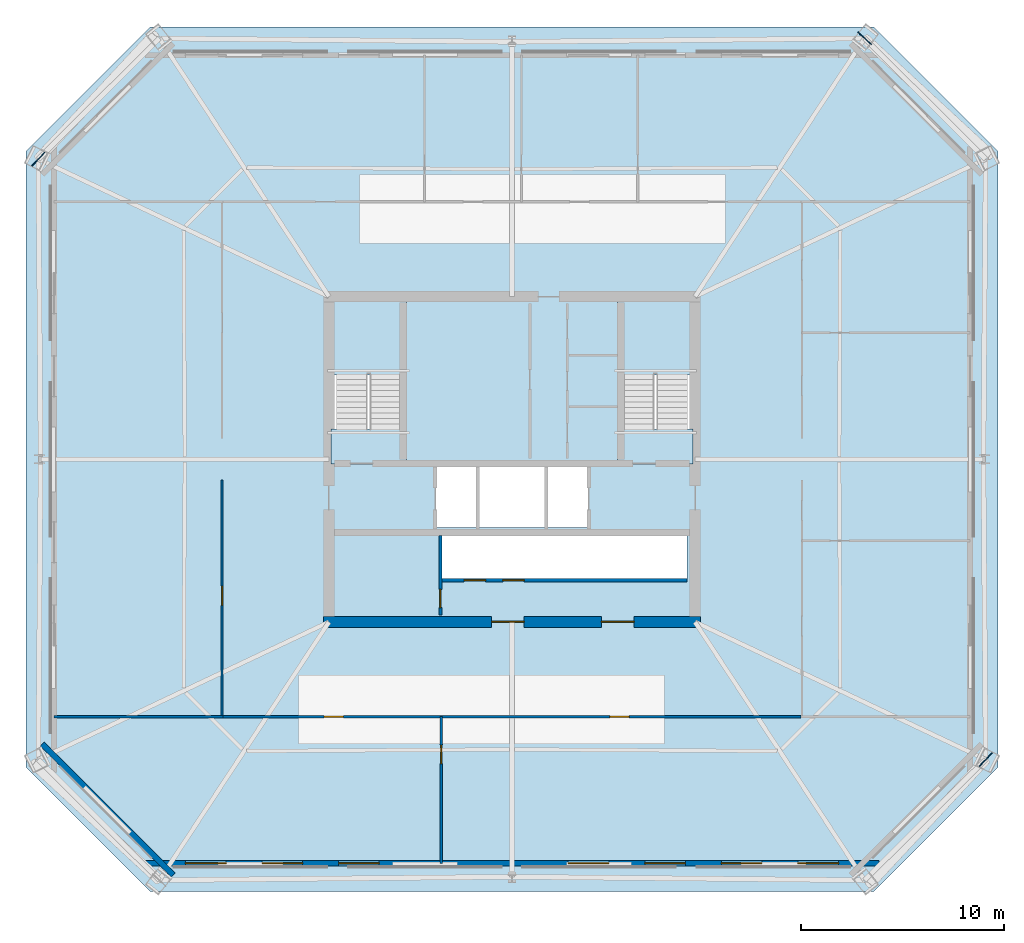
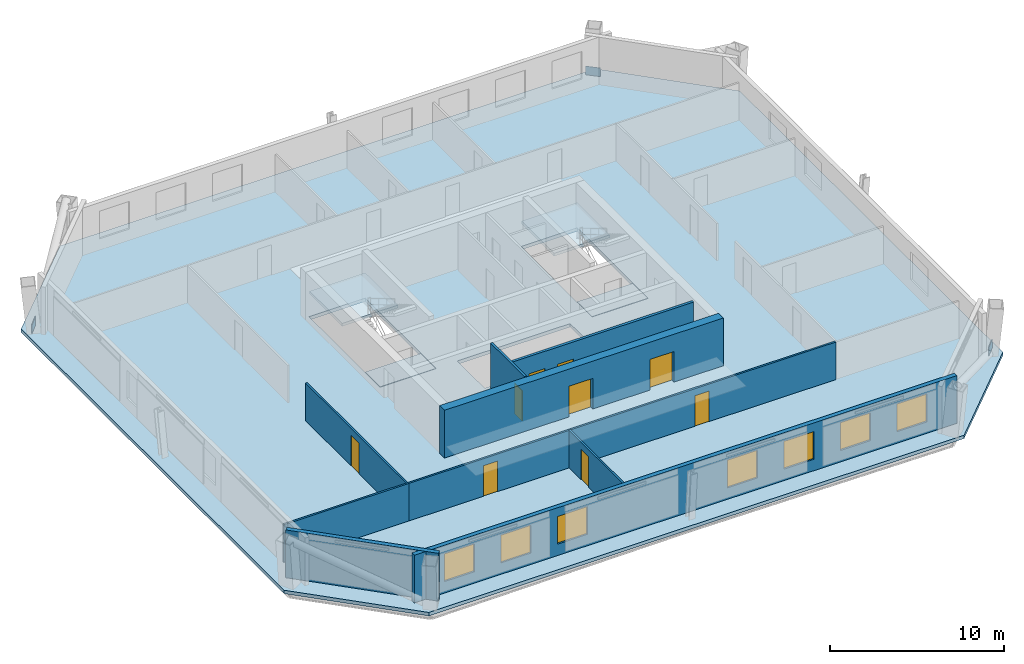
# One storey, part 2 of 7: 9 doors, 9 walls, 7 windows, 5 slabs, 3 plates, 16 openings, 2 elements without a shape of their own.
"""IFC4 building model written with IfcOpenShell, lengths in metres."""

from ifc_helpers import new_model, si_unit, direction, frame, frame_2d, origin, origin_2d, place, context, subcontext, project, spatial, polyline, rectangle, outline, extrude, material, layer, layer_set, type_object, element, fill, aggregate, save


model = new_model("IFC4")

# Units and contexts
model_context = context("Model", 3, precision=1e-05, world=origin(), true_north=direction((0.0, 1.0)))
body_context = subcontext(model_context, "Body", "Model", "MODEL_VIEW")
ifc_project = project(units=[si_unit("LENGTHUNIT", "METRE"), si_unit("AREAUNIT", "SQUARE_METRE"), si_unit("VOLUMEUNIT", "CUBIC_METRE"), si_unit("PLANEANGLEUNIT", "RADIAN"), si_unit("MASSUNIT", "GRAM", prefix="KILO")], contexts=[model_context])

# Site, building, storey
site_placement = place(None, origin())
site = spatial("IfcSite", under=ifc_project, at=site_placement, CompositionType="ELEMENT")
building_placement = place(site_placement, origin())
building = spatial("IfcBuilding", under=site, at=building_placement, Name="Caelvoria Tower", CompositionType="ELEMENT")
storey_placement = place(building_placement, frame((0.0, 0.0, 134.800048828125)))
storey = spatial("IfcBuildingStorey", under=building, at=storey_placement, Name="L35", CompositionType="ELEMENT", Elevation=134.800048828125)

# Plates
ifc_material_1 = material(Name="Structural Steel ASTM A572 Gr.50", Category="steel")
ifc_layer_1 = layer(ifc_material_1, 0.0400390625, Name="Structural Steel ASTM A572 Gr.50")
ifc_layer_set_1 = layer_set([ifc_layer_1], Name="Megaframe Node Gusset Plate 900x600x40 - Structural Steel ASTM A572 Gr.50")
plate_type = type_object("IfcPlateType", Name="Megaframe Node Gusset Plate 900x600x40", PredefinedType="USERDEFINED", material=ifc_layer_set_1)
for number, where, z_axis, x_axis, name in (
    (1, (69.2919921875, 17.235595703125, 0.02001953125), (0.0, 0.0, 1.0), (-0.681237225228, -0.732062731577, 0.0), "Chamfer Mega Brace Gusset L35 SE"),
    (2, (63.337646484375, 52.697998046875, 0.02001953125), (0.0, 0.0, 1.0), (0.734202840217, -0.678930180076, 0.0), "Chamfer Mega Brace Gusset L35 NE"),
    (3, (22.7080078125, 46.764404296875, 0.02001953125), (0.0, 0.0, 1.0), (0.681237225228, 0.732062731577, 0.0), "Chamfer Mega Brace Gusset L35 NW"),
):
    element("IfcPlate", number, at=place(storey_placement, frame(where, z_axis=z_axis, x_axis=x_axis)), inside=storey, type_object=plate_type, Name=name, ObjectType="GUSSET_PLATE", PredefinedType="USERDEFINED", context=body_context, shape_type="SweptSolid", body=[
        extrude(rectangle(XDim=0.89990234375, YDim=0.0400390625, at=origin_2d()), origin(), (0.0, 0.0, 1.0), 0.60009765625),
    ])

# Stair, slabs
ifc_material_2 = material(Name="Concrete C40/50", Category="concrete")
stair_type = type_object("IfcStairType", Name="Core Smokeproof Dogleg Stair Concrete C40/50", PredefinedType="HALF_TURN_STAIR", material=ifc_material_2)
stair_1_placement = place(storey_placement, origin())
stair_1 = element("IfcStair", 4, at=stair_1_placement, inside=storey, type_object=stair_type, Name="ST-01 Smokeproof Exit Stair L35", PredefinedType="HALF_TURN_STAIR")
ifc_layer_2 = layer(ifc_material_2, 0.199951171875, Name="Concrete C40/50")
ifc_layer_set_2 = layer_set([ifc_layer_2], Name="Stair Half and Floor Landing Slab 200 Concrete C40/50 - Concrete C40/50")
slab_type_1 = type_object("IfcSlabType", Name="Stair Half and Floor Landing Slab 200 Concrete C40/50", PredefinedType="LANDING", material=ifc_layer_set_2)
slab_1_placement = place(storey_placement, frame((0.0, 0.0, -0.199951171875)))
slab_1 = element("IfcSlab", 5, at=slab_1_placement, type_object=slab_type_1, Name="ST-01 landing 1", PredefinedType="LANDING", context=body_context, shape_type="SweptSolid", body=[
    extrude(outline(polyline([(37.10009765625, 31.77001953125), (40.800048828125, 31.77001953125), (40.800048828125, 33.5), (37.10009765625, 33.5), (37.10009765625, 31.77001953125)])), origin(), (0.0, 0.0, 1.0), 0.199951171875),
])
slab_2_placement = place(storey_placement, frame((0.0, 0.0, 1.599853515625)))
slab_2 = element("IfcSlab", 6, at=slab_2_placement, type_object=slab_type_1, Name="ST-01 landing 2", PredefinedType="LANDING", context=body_context, shape_type="SweptSolid", body=[
    extrude(outline(polyline([(37.10009765625, 36.14990234375), (40.800048828125, 36.14990234375), (40.800048828125, 39.89990234375), (37.10009765625, 39.89990234375), (37.10009765625, 36.14990234375)])), origin(), (0.0, 0.0, 1.0), 0.2001953125),
])
aggregate(stair_1, [slab_1, slab_2])

stair_2_placement = place(storey_placement, origin())
stair_2 = element("IfcStair", 7, at=stair_2_placement, inside=storey, type_object=stair_type, Name="ST-02 Smokeproof Exit Stair L35", PredefinedType="HALF_TURN_STAIR")
slab_3_placement = place(storey_placement, frame((0.0, 0.0, -0.199951171875)))
slab_3 = element("IfcSlab", 8, at=slab_3_placement, type_object=slab_type_1, Name="ST-02 landing 1", PredefinedType="LANDING", context=body_context, shape_type="SweptSolid", body=[
    extrude(outline(polyline([(51.199951171875, 31.77001953125), (54.89990234375, 31.77001953125), (54.89990234375, 33.5), (51.199951171875, 33.5), (51.199951171875, 31.77001953125)])), origin(), (0.0, 0.0, 1.0), 0.199951171875),
])
slab_4_placement = place(storey_placement, frame((0.0, 0.0, 1.599853515625)))
slab_4 = element("IfcSlab", 9, at=slab_4_placement, type_object=slab_type_1, Name="ST-02 landing 2", PredefinedType="LANDING", context=body_context, shape_type="SweptSolid", body=[
    extrude(outline(polyline([(51.199951171875, 36.14990234375), (54.89990234375, 36.14990234375), (54.89990234375, 39.89990234375), (51.199951171875, 39.89990234375), (51.199951171875, 36.14990234375)])), origin(), (0.0, 0.0, 1.0), 0.2001953125),
])
aggregate(stair_2, [slab_3, slab_4])

# Slab
ifc_layer_3 = layer(ifc_material_2, 0.239990234375, Name="Concrete C40/50")
ifc_layer_set_3 = layer_set([ifc_layer_3], Name="Tower Composite Office Slab 240 - Concrete C40/50")
slab_type_2 = type_object("IfcSlabType", Name="Tower Composite Office Slab 240", PredefinedType="FLOOR", material=ifc_layer_set_3)
slab_5_placement = place(storey_placement, frame((0.0, 0.0, -0.239990234375)))
element("IfcSlab", 10, at=slab_5_placement, inside=storey, type_object=slab_type_2, Name="Level L35 Structural Floor Slab", PredefinedType="FLOOR", context=body_context, shape_type="SweptSolid", body=[
    extrude(outline(polyline([(28.199951171875, 10.75), (63.800048828125, 10.75), (69.89990234375, 16.85009765625), (69.89990234375, 47.14990234375), (63.800048828125, 53.25), (28.199951171875, 53.25), (22.10009765625, 47.14990234375), (22.10009765625, 16.85009765625), (28.199951171875, 10.75)]), holes=[polyline([(37.080078125, 31.75), (40.820068359375, 31.75), (40.820068359375, 39.919921875), (37.080078125, 39.919921875), (37.080078125, 31.75)]), polyline([(51.179931640625, 31.75), (54.919921875, 31.75), (54.919921875, 39.919921875), (51.179931640625, 39.919921875), (51.179931640625, 31.75)]), polyline([(42.25, 28.64990234375), (49.75, 28.64990234375), (49.75, 31.800048828125), (42.25, 31.800048828125), (42.25, 28.64990234375)]), polyline([(42.550048828125, 26.14990234375), (54.60009765625, 26.14990234375), (54.60009765625, 28.25), (42.550048828125, 28.25), (42.550048828125, 26.14990234375)])]), origin(), (0.0, 0.0, 1.0), 0.239990234375),
])

# Wall, opening, door
ifc_material_3 = material(Name="Double Gypsum Board on Steel Stud", Category="steel")
ifc_layer_4 = layer(ifc_material_3, 0.14990234375, Name="Double Gypsum Board on Steel Stud")
ifc_layer_set_4 = layer_set([ifc_layer_4], Name="Core Service Acoustic Partition Wall 150 - Double Gypsum Board on Steel Stud")
wall_type_1 = type_object("IfcWallType", Name="Core Service Acoustic Partition Wall 150", PredefinedType="PARTITIONING", material=ifc_layer_set_4)
wall_1_placement = place(storey_placement, frame((42.47998046875, 24.35009765625, 0.0), z_axis=(0.0, 0.0, 1.0), x_axis=(0.0, 1.0, 0.0)))
wall_1 = element("IfcWall", 11, at=wall_1_placement, inside=storey, type_object=wall_type_1, Name="Interior Partition IW-L35-RECL1E", PredefinedType="PARTITIONING", context=body_context, shape_type="SweptSolid", body=[
    extrude(rectangle(XDim=3.89990234375, YDim=0.14990234375, at=frame_2d((1.949951171875, 0.0))), origin(), (0.0, 0.0, 1.0), 3.35986328125),
])
opening_1_placement = place(wall_1_placement, frame((0.35009765625, 0.0, 0.0)))
opening_1 = element("IfcOpeningElement", 12, at=opening_1_placement, cuts=wall_1, Name="Opening ID-04", PredefinedType="OPENING", context=body_context, shape_type="SweptSolid", body=[
    extrude(rectangle(XDim=0.89990234375, YDim=2.14990234375, at=frame_2d((0.449951171875, 1.074951171875))), frame((0.0, 0.0849609375, 0.0), z_axis=(0.0, -1.0, 0.0), x_axis=(1.0, 0.0, 0.0)), (0.0, 0.0, 1.0), 0.169921875),
])
ifc_material_4 = material(Name="Acoustic Timber Fire Door", Category="wood")
door_type_1 = type_object("IfcDoorType", Name="Fire Door FD30S 900x2150", OperationType="NOTDEFINED", PredefinedType="DOOR", material=ifc_material_4)
door_1_placement = place(opening_1_placement, origin())
door_1 = element("IfcDoor", 13, at=door_1_placement, inside=storey, type_object=door_type_1, Name="Interior Door DR-L35-RECL1", OperationType="SINGLE_SWING_LEFT", OverallHeight=2.14990234375, OverallWidth=0.89990234375, PredefinedType="DOOR", context=body_context, shape_type="SweptSolid", body=[
    extrude(rectangle(XDim=0.89990234375, YDim=2.14990234375, at=frame_2d((0.449951171875, 1.074951171875))), frame((0.0, 0.02490234375, 0.0), z_axis=(0.0, -1.0, 0.0), x_axis=(1.0, 0.0, 0.0)), (0.0, 0.0, 1.0), 0.050048828125),
])
fill(opening_1, door_1)

# Wall, openings, windows
ifc_material_5 = material(Name="Precast Concrete C40/50 with Bronze Cladding", Category="concrete")
ifc_layer_5 = layer(ifc_material_5, 0.280029296875, Name="Precast Concrete C40/50 with Bronze Cladding")
ifc_layer_set_5 = layer_set([ifc_layer_5], Name="Exterior Precast Concrete C40/50 Bronze-Clad Facade Wall 280 - Precast Concrete C40/50 with Bronze Cladding")
wall_type_2 = type_object("IfcWallType", Name="Exterior Precast Concrete C40/50 Bronze-Clad Facade Wall 280", PredefinedType="STANDARD", material=ifc_layer_set_5)
wall_2_placement = place(storey_placement, frame((27.9599609375, 12.1298828125, 0.0), z_axis=(0.0, 0.0, 1.0), x_axis=(1.0, 0.0, 0.0)))
wall_2 = element("IfcWall", 14, at=wall_2_placement, inside=storey, type_object=wall_type_2, Name="Exterior Facade Wall L35-E0", PredefinedType="STANDARD", context=body_context, shape_type="SweptSolid", body=[
    extrude(rectangle(XDim=36.080078125, YDim=0.280029296875, at=frame_2d((18.0400390625, 0.0))), origin(), (0.0, 0.0, 1.0), 3.35986328125),
])
opening_2_placement = place(wall_2_placement, frame((1.982177734375, 0.0, 0.800048828125)))
opening_2 = element("IfcOpeningElement", 15, at=opening_2_placement, cuts=wall_2, Name="Opening WN-01", PredefinedType="OPENING", context=body_context, shape_type="SweptSolid", body=[
    extrude(rectangle(XDim=2.0, YDim=1.949951171875, at=frame_2d((1.0, 0.97509765625))), frame((0.0, 0.14990234375, 0.0), z_axis=(0.0, -1.0, 0.0), x_axis=(1.0, 0.0, 0.0)), (0.0, 0.0, 1.0), 0.300048828125),
])
opening_3_placement = place(wall_2_placement, frame((5.74658203125, 0.0, 0.800048828125)))
opening_3 = element("IfcOpeningElement", 16, at=opening_3_placement, cuts=wall_2, Name="Opening WN-01", PredefinedType="OPENING", context=body_context, shape_type="SweptSolid", body=[
    extrude(rectangle(XDim=2.0, YDim=1.949951171875, at=frame_2d((1.0, 0.97509765625))), frame((0.0, 0.14990234375, 0.0), z_axis=(0.0, -1.0, 0.0), x_axis=(1.0, 0.0, 0.0)), (0.0, 0.0, 1.0), 0.300048828125),
])
opening_4_placement = place(wall_2_placement, frame((9.510986328125, 0.0, 0.800048828125)))
opening_4 = element("IfcOpeningElement", 17, at=opening_4_placement, cuts=wall_2, Name="Opening WN-01", PredefinedType="OPENING", context=body_context, shape_type="SweptSolid", body=[
    extrude(rectangle(XDim=2.0, YDim=1.949951171875, at=frame_2d((1.0, 0.97509765625))), frame((0.0, 0.14990234375, 0.0), z_axis=(0.0, -1.0, 0.0), x_axis=(1.0, 0.0, 0.0)), (0.0, 0.0, 1.0), 0.300048828125),
])
opening_5_placement = place(wall_2_placement, frame((20.804443359375, 0.0, 0.800048828125)))
opening_5 = element("IfcOpeningElement", 18, at=opening_5_placement, cuts=wall_2, Name="Opening WN-01", PredefinedType="OPENING", context=body_context, shape_type="SweptSolid", body=[
    extrude(rectangle(XDim=2.0, YDim=1.949951171875, at=frame_2d((1.0, 0.97509765625))), frame((0.0, 0.14990234375, 0.0), z_axis=(0.0, -1.0, 0.0), x_axis=(1.0, 0.0, 0.0)), (0.0, 0.0, 1.0), 0.300048828125),
])
opening_6_placement = place(wall_2_placement, frame((24.56884765625, 0.0, 0.800048828125)))
opening_6 = element("IfcOpeningElement", 19, at=opening_6_placement, cuts=wall_2, Name="Opening WN-01", PredefinedType="OPENING", context=body_context, shape_type="SweptSolid", body=[
    extrude(rectangle(XDim=2.0, YDim=1.949951171875, at=frame_2d((1.0, 0.97509765625))), frame((0.0, 0.14990234375, 0.0), z_axis=(0.0, -1.0, 0.0), x_axis=(1.0, 0.0, 0.0)), (0.0, 0.0, 1.0), 0.300048828125),
])
opening_7_placement = place(wall_2_placement, frame((28.333251953125, 0.0, 0.800048828125)))
opening_7 = element("IfcOpeningElement", 20, at=opening_7_placement, cuts=wall_2, Name="Opening WN-01", PredefinedType="OPENING", context=body_context, shape_type="SweptSolid", body=[
    extrude(rectangle(XDim=2.0, YDim=1.949951171875, at=frame_2d((1.0, 0.97509765625))), frame((0.0, 0.14990234375, 0.0), z_axis=(0.0, -1.0, 0.0), x_axis=(1.0, 0.0, 0.0)), (0.0, 0.0, 1.0), 0.300048828125),
])
opening_8_placement = place(wall_2_placement, frame((32.097900390625, 0.0, 0.800048828125)))
opening_8 = element("IfcOpeningElement", 21, at=opening_8_placement, cuts=wall_2, Name="Opening WN-01", PredefinedType="OPENING", context=body_context, shape_type="SweptSolid", body=[
    extrude(rectangle(XDim=2.0, YDim=1.949951171875, at=frame_2d((1.0, 0.97509765625))), frame((0.0, 0.14990234375, 0.0), z_axis=(0.0, -1.0, 0.0), x_axis=(1.0, 0.0, 0.0)), (0.0, 0.0, 1.0), 0.300048828125),
])
ifc_material_6 = material(Name="Low-E Tinted Glass in Bronze Aluminium Frame", Category="aluminium")
window_type = type_object("IfcWindowType", Name="Tower Office Vision Window 2000x1950", PartitioningType="SINGLE_PANEL", PredefinedType="WINDOW", material=ifc_material_6)
window_1_placement = place(opening_2_placement, origin())
window_1 = element("IfcWindow", 22, at=window_1_placement, inside=storey, type_object=window_type, Name="Facade Window L35-E0-00", OverallHeight=1.949951171875, OverallWidth=2.0, PartitioningType="SINGLE_PANEL", PredefinedType="WINDOW", context=body_context, shape_type="SweptSolid", body=[
    extrude(rectangle(XDim=2.0, YDim=1.949951171875, at=frame_2d((1.0, 0.97509765625))), frame((0.0, 0.030029296875, 0.0), z_axis=(0.0, -1.0, 0.0), x_axis=(1.0, 0.0, 0.0)), (0.0, 0.0, 1.0), 0.06005859375),
])
fill(opening_2, window_1)
window_2_placement = place(opening_3_placement, origin())
window_2 = element("IfcWindow", 23, at=window_2_placement, inside=storey, type_object=window_type, Name="Facade Window L35-E0-01", OverallHeight=1.949951171875, OverallWidth=2.0, PartitioningType="SINGLE_PANEL", PredefinedType="WINDOW", context=body_context, shape_type="SweptSolid", body=[
    extrude(rectangle(XDim=2.0, YDim=1.949951171875, at=frame_2d((1.0, 0.97509765625))), frame((0.0, 0.030029296875, 0.0), z_axis=(0.0, -1.0, 0.0), x_axis=(1.0, 0.0, 0.0)), (0.0, 0.0, 1.0), 0.06005859375),
])
fill(opening_3, window_2)
window_3_placement = place(opening_4_placement, origin())
window_3 = element("IfcWindow", 24, at=window_3_placement, inside=storey, type_object=window_type, Name="Facade Window L35-E0-02", OverallHeight=1.949951171875, OverallWidth=2.0, PartitioningType="SINGLE_PANEL", PredefinedType="WINDOW", context=body_context, shape_type="SweptSolid", body=[
    extrude(rectangle(XDim=2.0, YDim=1.949951171875, at=frame_2d((1.0, 0.97509765625))), frame((0.0, 0.030029296875, 0.0), z_axis=(0.0, -1.0, 0.0), x_axis=(1.0, 0.0, 0.0)), (0.0, 0.0, 1.0), 0.06005859375),
])
fill(opening_4, window_3)
window_4_placement = place(opening_5_placement, origin())
window_4 = element("IfcWindow", 25, at=window_4_placement, inside=storey, type_object=window_type, Name="Facade Window L35-E0-05", OverallHeight=1.949951171875, OverallWidth=2.0, PartitioningType="SINGLE_PANEL", PredefinedType="WINDOW", context=body_context, shape_type="SweptSolid", body=[
    extrude(rectangle(XDim=2.0, YDim=1.949951171875, at=frame_2d((1.0, 0.97509765625))), frame((0.0, 0.030029296875, 0.0), z_axis=(0.0, -1.0, 0.0), x_axis=(1.0, 0.0, 0.0)), (0.0, 0.0, 1.0), 0.06005859375),
])
fill(opening_5, window_4)
window_5_placement = place(opening_6_placement, origin())
window_5 = element("IfcWindow", 26, at=window_5_placement, inside=storey, type_object=window_type, Name="Facade Window L35-E0-06", OverallHeight=1.949951171875, OverallWidth=2.0, PartitioningType="SINGLE_PANEL", PredefinedType="WINDOW", context=body_context, shape_type="SweptSolid", body=[
    extrude(rectangle(XDim=2.0, YDim=1.949951171875, at=frame_2d((1.0, 0.97509765625))), frame((0.0, 0.030029296875, 0.0), z_axis=(0.0, -1.0, 0.0), x_axis=(1.0, 0.0, 0.0)), (0.0, 0.0, 1.0), 0.06005859375),
])
fill(opening_6, window_5)
window_6_placement = place(opening_7_placement, origin())
window_6 = element("IfcWindow", 27, at=window_6_placement, inside=storey, type_object=window_type, Name="Facade Window L35-E0-07", OverallHeight=1.949951171875, OverallWidth=2.0, PartitioningType="SINGLE_PANEL", PredefinedType="WINDOW", context=body_context, shape_type="SweptSolid", body=[
    extrude(rectangle(XDim=2.0, YDim=1.949951171875, at=frame_2d((1.0, 0.97509765625))), frame((0.0, 0.030029296875, 0.0), z_axis=(0.0, -1.0, 0.0), x_axis=(1.0, 0.0, 0.0)), (0.0, 0.0, 1.0), 0.06005859375),
])
fill(opening_7, window_6)
window_7_placement = place(opening_8_placement, origin())
window_7 = element("IfcWindow", 28, at=window_7_placement, inside=storey, type_object=window_type, Name="Facade Window L35-E0-08", OverallHeight=1.949951171875, OverallWidth=2.0, PartitioningType="SINGLE_PANEL", PredefinedType="WINDOW", context=body_context, shape_type="SweptSolid", body=[
    extrude(rectangle(XDim=2.0, YDim=1.949951171875, at=frame_2d((1.0, 0.97509765625))), frame((0.0, 0.030029296875, 0.0), z_axis=(0.0, -1.0, 0.0), x_axis=(1.0, 0.0, 0.0)), (0.0, 0.0, 1.0), 0.06005859375),
])
fill(opening_8, window_7)

# Wall
wall_3_placement = place(storey_placement, frame((22.906005859375, 17.99560546875, 0.0), z_axis=(0.0, 0.0, 1.0), x_axis=(0.707106781187, -0.707106781187, 0.0)))
element("IfcWall", 29, at=wall_3_placement, inside=storey, type_object=wall_type_2, Name="Exterior Facade Wall L35-E7", PredefinedType="STANDARD", context=body_context, shape_type="SweptSolid", body=[
    extrude(rectangle(XDim=9.106689453125, YDim=0.280029296875, at=frame_2d((4.55322265625, 0.0))), origin(), (0.0, 0.0, 1.0), 3.35986328125),
])

# Wall, openings, doors
ifc_material_7 = material(Name="Concrete Block and Fireboard Assembly", Category="concrete")
ifc_layer_6 = layer(ifc_material_7, 0.179931640625, Name="Concrete Block and Fireboard Assembly")
ifc_layer_set_6 = layer_set([ifc_layer_6], Name="Fire-Rated Hoistway Partition Wall 180 - Concrete Block and Fireboard Assembly")
wall_type_3 = type_object("IfcWallType", Name="Fire-Rated Hoistway Partition Wall 180", PredefinedType="PARTITIONING", material=ifc_layer_set_6)
wall_4_placement = place(storey_placement, frame((42.550048828125, 26.050048828125, 0.0), z_axis=(0.0, 0.0, 1.0), x_axis=(1.0, 0.0, 0.0)))
wall_4 = element("IfcWall", 30, at=wall_4_placement, inside=storey, type_object=wall_type_3, Name="Interior Partition IW-L35-LFRONT", PredefinedType="PARTITIONING", context=body_context, shape_type="SweptSolid", body=[
    extrude(rectangle(XDim=12.050048828125, YDim=0.179931640625, at=frame_2d((6.02490234375, 0.0))), origin(), (0.0, 0.0, 1.0), 3.35986328125),
])
opening_9_placement = place(wall_4_placement, frame((1.10009765625, 0.0, 0.0)))
opening_9 = element("IfcOpeningElement", 31, at=opening_9_placement, cuts=wall_4, Name="Opening LD-01", PredefinedType="OPENING", context=body_context, shape_type="SweptSolid", body=[
    extrude(rectangle(XDim=1.050048828125, YDim=2.14990234375, at=frame_2d((0.52490234375, 1.074951171875))), frame((0.0, 0.099853515625, 0.0), z_axis=(0.0, -1.0, 0.0), x_axis=(1.0, 0.0, 0.0)), (0.0, 0.0, 1.0), 0.199951171875),
])
opening_10_placement = place(wall_4_placement, frame((3.0, 0.0, 0.0)))
opening_10 = element("IfcOpeningElement", 32, at=opening_10_placement, cuts=wall_4, Name="Opening LD-01", PredefinedType="OPENING", context=body_context, shape_type="SweptSolid", body=[
    extrude(rectangle(XDim=1.050048828125, YDim=2.14990234375, at=frame_2d((0.52490234375, 1.074951171875))), frame((0.0, 0.099853515625, 0.0), z_axis=(0.0, -1.0, 0.0), x_axis=(1.0, 0.0, 0.0)), (0.0, 0.0, 1.0), 0.199951171875),
])
ifc_material_8 = material(Name="Brushed Bronze Stainless Sliding Landing Door", Category="aluminium")
door_type_2 = type_object("IfcDoorType", Name="Lift Landing Sliding Door 1100x2150", OperationType="NOTDEFINED", PredefinedType="DOOR", material=ifc_material_8)
door_2_placement = place(opening_9_placement, origin())
door_2 = element("IfcDoor", 33, at=door_2_placement, inside=storey, type_object=door_type_2, Name="Interior Door LD-L35-PM1", OperationType="SLIDING_TO_LEFT", OverallHeight=2.14990234375, OverallWidth=1.050048828125, PredefinedType="DOOR", context=body_context, shape_type="SweptSolid", body=[
    extrude(rectangle(XDim=1.050048828125, YDim=2.14990234375, at=frame_2d((0.52490234375, 1.074951171875))), frame((0.0, 0.02490234375, 0.0), z_axis=(0.0, -1.0, 0.0), x_axis=(1.0, 0.0, 0.0)), (0.0, 0.0, 1.0), 0.050048828125),
])
fill(opening_9, door_2)
door_3_placement = place(opening_10_placement, origin())
door_3 = element("IfcDoor", 34, at=door_3_placement, inside=storey, type_object=door_type_2, Name="Interior Door LD-L35-PM2", OperationType="SLIDING_TO_RIGHT", OverallHeight=2.14990234375, OverallWidth=1.050048828125, PredefinedType="DOOR", context=body_context, shape_type="SweptSolid", body=[
    extrude(rectangle(XDim=1.050048828125, YDim=2.14990234375, at=frame_2d((0.52490234375, 1.074951171875))), frame((0.0, 0.02490234375, 0.0), z_axis=(0.0, -1.0, 0.0), x_axis=(1.0, 0.0, 0.0)), (0.0, 0.0, 1.0), 0.050048828125),
])
fill(opening_10, door_3)

ifc_material_9 = material(Name="Concrete C55/67", Category="concrete")
ifc_layer_7 = layer(ifc_material_9, 0.550048828125, Name="Concrete C55/67")
ifc_layer_set_7 = layer_set([ifc_layer_7], Name="Mid Core Shear Wall 550 - Concrete C55/67")
wall_type_4 = type_object("IfcWallType", Name="Mid Core Shear Wall 550", PredefinedType="SHEAR", material=ifc_layer_set_7)
wall_5_placement = place(storey_placement, frame((36.72509765625, 24.0, 0.0), z_axis=(0.0, 0.0, 1.0), x_axis=(1.0, 0.0, 0.0)))
wall_5 = element("IfcWall", 35, at=wall_5_placement, inside=storey, type_object=wall_type_4, Name="Core Shear Wall L35 S", PredefinedType="SHEAR", context=body_context, shape_type="SweptSolid", body=[
    extrude(rectangle(XDim=18.5498046875, YDim=0.550048828125, at=frame_2d((9.27490234375, 0.0))), origin(), (0.0, 0.0, 1.0), 3.35986328125),
])
opening_11_placement = place(wall_5_placement, frame((8.27490234375, 0.0, 0.0)))
opening_11 = element("IfcOpeningElement", 36, at=opening_11_placement, cuts=wall_5, Name="Opening ID-08", PredefinedType="OPENING", context=body_context, shape_type="SweptSolid", body=[
    extrude(rectangle(XDim=1.60009765625, YDim=2.14990234375, at=frame_2d((0.800048828125, 1.074951171875))), frame((0.0, 0.284912109375, 0.0), z_axis=(0.0, -1.0, 0.0), x_axis=(1.0, 0.0, 0.0)), (0.0, 0.0, 1.0), 0.570068359375),
])
opening_12_placement = place(wall_5_placement, frame((13.675048828125, 0.0, 0.0)))
opening_12 = element("IfcOpeningElement", 37, at=opening_12_placement, cuts=wall_5, Name="Opening ID-08", PredefinedType="OPENING", context=body_context, shape_type="SweptSolid", body=[
    extrude(rectangle(XDim=1.60009765625, YDim=2.14990234375, at=frame_2d((0.800048828125, 1.074951171875))), frame((0.0, 0.284912109375, 0.0), z_axis=(0.0, -1.0, 0.0), x_axis=(1.0, 0.0, 0.0)), (0.0, 0.0, 1.0), 0.570068359375),
])
ifc_material_10 = material(Name="Bronze-Framed Fire-Rated Glazed Double Door", Category="aluminium")
door_type_3 = type_object("IfcDoorType", Name="Double Lobby Glazed Door 1600x2200", OperationType="NOTDEFINED", PredefinedType="DOOR", material=ifc_material_10)
door_4_placement = place(opening_11_placement, origin())
door_4 = element("IfcDoor", 38, at=door_4_placement, inside=storey, type_object=door_type_3, Name="Core Door DR-L35-LLOB-S1", OperationType="DOUBLE_DOOR_SINGLE_SWING", OverallHeight=2.14990234375, OverallWidth=1.60009765625, PredefinedType="DOOR", context=body_context, shape_type="SweptSolid", body=[
    extrude(rectangle(XDim=1.60009765625, YDim=2.14990234375, at=frame_2d((0.800048828125, 1.074951171875))), frame((0.0, 0.02490234375, 0.0), z_axis=(0.0, -1.0, 0.0), x_axis=(1.0, 0.0, 0.0)), (0.0, 0.0, 1.0), 0.050048828125),
])
fill(opening_11, door_4)
door_5_placement = place(opening_12_placement, origin())
door_5 = element("IfcDoor", 39, at=door_5_placement, inside=storey, type_object=door_type_3, Name="Core Door DR-L35-LLOB-S2", OperationType="DOUBLE_DOOR_SINGLE_SWING", OverallHeight=2.14990234375, OverallWidth=1.60009765625, PredefinedType="DOOR", context=body_context, shape_type="SweptSolid", body=[
    extrude(rectangle(XDim=1.60009765625, YDim=2.14990234375, at=frame_2d((0.800048828125, 1.074951171875))), frame((0.0, 0.02490234375, 0.0), z_axis=(0.0, -1.0, 0.0), x_axis=(1.0, 0.0, 0.0)), (0.0, 0.0, 1.0), 0.050048828125),
])
fill(opening_12, door_5)

# Wall, opening, door
ifc_material_11 = material(Name="Acoustic Gypsum Board on Light-Gauge Stud", Category="gypsum")
ifc_layer_8 = layer(ifc_material_11, 0.1201171875, Name="Acoustic Gypsum Board on Light-Gauge Stud")
ifc_layer_set_8 = layer_set([ifc_layer_8], Name="Tenant Suite Acoustic Partition Wall 120 - Acoustic Gypsum Board on Light-Gauge Stud")
wall_type_5 = type_object("IfcWallType", Name="Tenant Suite Acoustic Partition Wall 120", PredefinedType="PARTITIONING", material=ifc_layer_set_8)
wall_6_placement = place(storey_placement, frame((42.52001953125, 19.340087890625, 0.0), z_axis=(0.0, 0.0, 1.0), x_axis=(0.0, -1.0, 0.0)))
wall_6 = element("IfcWall", 40, at=wall_6_placement, inside=storey, type_object=wall_type_5, Name="Interior Partition IW-L35-SD-00-0", PredefinedType="PARTITIONING", context=body_context, shape_type="SweptSolid", body=[
    extrude(rectangle(XDim=7.210205078125, YDim=0.1201171875, at=frame_2d((3.60498046875, 0.0))), origin(), (0.0, 0.0, 1.0), 2.639892578125),
])
opening_13_placement = place(wall_6_placement, frame((1.39990234375, 0.0, 0.0)))
opening_13 = element("IfcOpeningElement", 41, at=opening_13_placement, cuts=wall_6, Name="Opening ID-06", PredefinedType="OPENING", context=body_context, shape_type="SweptSolid", body=[
    extrude(rectangle(XDim=0.89990234375, YDim=2.14990234375, at=frame_2d((0.449951171875, 1.074951171875))), frame((0.0, 0.070068359375, 0.0), z_axis=(0.0, -1.0, 0.0), x_axis=(1.0, 0.0, 0.0)), (0.0, 0.0, 1.0), 0.14013671875),
])
ifc_material_12 = material(Name="Engineered Andean Oak Veneer Door", Category="wood")
door_type_4 = type_object("IfcDoorType", Name="Interior Timber Door 900x2150", OperationType="NOTDEFINED", PredefinedType="DOOR", material=ifc_material_12)
door_6_placement = place(opening_13_placement, origin())
door_6 = element("IfcDoor", 42, at=door_6_placement, inside=storey, type_object=door_type_4, Name="Interior Door DR-L35-SM-00-0", OperationType="SINGLE_SWING_RIGHT", OverallHeight=2.14990234375, OverallWidth=0.89990234375, PredefinedType="DOOR", context=body_context, shape_type="SweptSolid", body=[
    extrude(rectangle(XDim=0.89990234375, YDim=2.14990234375, at=frame_2d((0.449951171875, 1.074951171875))), frame((0.0, 0.02490234375, 0.0), z_axis=(0.0, -1.0, 0.0), x_axis=(1.0, 0.0, 0.0)), (0.0, 0.0, 1.0), 0.050048828125),
])
fill(opening_13, door_6)

# Wall, openings, doors
wall_7_placement = place(storey_placement, frame((31.800048828125, 19.340087890625, 0.0), z_axis=(0.0, 0.0, 1.0), x_axis=(1.0, 0.0, 0.0)))
wall_7 = element("IfcWall", 43, at=wall_7_placement, inside=storey, type_object=wall_type_5, Name="Interior Partition IW-L35-SCW-0", PredefinedType="PARTITIONING", context=body_context, shape_type="SweptSolid", body=[
    extrude(rectangle(XDim=28.39990234375, YDim=0.1201171875, at=frame_2d((14.199951171875, 0.0))), origin(), (0.0, 0.0, 1.0), 2.639892578125),
])
opening_14_placement = place(wall_7_placement, frame((4.955078125, 0.0, 0.0)))
opening_14 = element("IfcOpeningElement", 44, at=opening_14_placement, cuts=wall_7, Name="Opening ID-05", PredefinedType="OPENING", context=body_context, shape_type="SweptSolid", body=[
    extrude(rectangle(XDim=0.949951171875, YDim=2.14990234375, at=frame_2d((0.47509765625, 1.074951171875))), frame((0.0, 0.070068359375, 0.0), z_axis=(0.0, -1.0, 0.0), x_axis=(1.0, 0.0, 0.0)), (0.0, 0.0, 1.0), 0.14013671875),
])
opening_15_placement = place(wall_7_placement, frame((19.014892578125, 0.0, 0.0)))
opening_15 = element("IfcOpeningElement", 45, at=opening_15_placement, cuts=wall_7, Name="Opening ID-05", PredefinedType="OPENING", context=body_context, shape_type="SweptSolid", body=[
    extrude(rectangle(XDim=0.949951171875, YDim=2.14990234375, at=frame_2d((0.47509765625, 1.074951171875))), frame((0.0, 0.070068359375, 0.0), z_axis=(0.0, -1.0, 0.0), x_axis=(1.0, 0.0, 0.0)), (0.0, 0.0, 1.0), 0.14013671875),
])
door_type_5 = type_object("IfcDoorType", Name="Interior Timber Door 950x2150", OperationType="NOTDEFINED", PredefinedType="DOOR", material=ifc_material_12)
door_7_placement = place(opening_14_placement, origin())
door_7 = element("IfcDoor", 46, at=door_7_placement, inside=storey, type_object=door_type_5, Name="Interior Door DR-L35-SC-00-0", OperationType="SINGLE_SWING_RIGHT", OverallHeight=2.14990234375, OverallWidth=0.949951171875, PredefinedType="DOOR", context=body_context, shape_type="SweptSolid", body=[
    extrude(rectangle(XDim=0.949951171875, YDim=2.14990234375, at=frame_2d((0.47509765625, 1.074951171875))), frame((0.0, 0.02490234375, 0.0), z_axis=(0.0, -1.0, 0.0), x_axis=(1.0, 0.0, 0.0)), (0.0, 0.0, 1.0), 0.050048828125),
])
fill(opening_14, door_7)
door_8_placement = place(opening_15_placement, origin())
door_8 = element("IfcDoor", 47, at=door_8_placement, inside=storey, type_object=door_type_5, Name="Interior Door DR-L35-SC-01-0", OperationType="SINGLE_SWING_LEFT", OverallHeight=2.14990234375, OverallWidth=0.949951171875, PredefinedType="DOOR", context=body_context, shape_type="SweptSolid", body=[
    extrude(rectangle(XDim=0.949951171875, YDim=2.14990234375, at=frame_2d((0.47509765625, 1.074951171875))), frame((0.0, 0.02490234375, 0.0), z_axis=(0.0, -1.0, 0.0), x_axis=(1.0, 0.0, 0.0)), (0.0, 0.0, 1.0), 0.050048828125),
])
fill(opening_15, door_8)

# Wall, opening, door
wall_8_placement = place(storey_placement, frame((31.739990234375, 19.39990234375, 0.0), z_axis=(0.0, 0.0, 1.0), x_axis=(0.0, 1.0, 0.0)))
wall_8 = element("IfcWall", 48, at=wall_8_placement, inside=storey, type_object=wall_type_5, Name="Interior Partition IW-L35-WCW-0", PredefinedType="PARTITIONING", context=body_context, shape_type="SweptSolid", body=[
    extrude(rectangle(XDim=11.580078125, YDim=0.1201171875, at=frame_2d((5.7900390625, 0.0))), origin(), (0.0, 0.0, 1.0), 2.639892578125),
])
opening_16_placement = place(wall_8_placement, frame((5.4150390625, 0.0, 0.0)))
opening_16 = element("IfcOpeningElement", 49, at=opening_16_placement, cuts=wall_8, Name="Opening ID-05", PredefinedType="OPENING", context=body_context, shape_type="SweptSolid", body=[
    extrude(rectangle(XDim=0.949951171875, YDim=2.14990234375, at=frame_2d((0.47509765625, 1.074951171875))), frame((0.0, 0.070068359375, 0.0), z_axis=(0.0, -1.0, 0.0), x_axis=(1.0, 0.0, 0.0)), (0.0, 0.0, 1.0), 0.14013671875),
])
door_9_placement = place(opening_16_placement, origin())
door_9 = element("IfcDoor", 50, at=door_9_placement, inside=storey, type_object=door_type_5, Name="Interior Door DR-L35-WC-00-1", OperationType="SINGLE_SWING_LEFT", OverallHeight=2.14990234375, OverallWidth=0.949951171875, PredefinedType="DOOR", context=body_context, shape_type="SweptSolid", body=[
    extrude(rectangle(XDim=0.949951171875, YDim=2.14990234375, at=frame_2d((0.47509765625, 1.074951171875))), frame((0.0, 0.02490234375, 0.0), z_axis=(0.0, -1.0, 0.0), x_axis=(1.0, 0.0, 0.0)), (0.0, 0.0, 1.0), 0.050048828125),
])
fill(opening_16, door_9)

# Wall
wall_9_placement = place(storey_placement, frame((31.800048828125, 19.340087890625, 0.0), z_axis=(0.0, 0.0, 1.0), x_axis=(-1.0, 0.0, 0.0)))
element("IfcWall", 51, at=wall_9_placement, inside=storey, type_object=wall_type_5, Name="Interior Partition IW-L35-BSW-0", PredefinedType="PARTITIONING", context=body_context, shape_type="SweptSolid", body=[
    extrude(rectangle(XDim=8.320068359375, YDim=0.1201171875, at=frame_2d((4.16015625, 0.0))), origin(), (0.0, 0.0, 1.0), 2.639892578125),
])

save(model, "model.ifc")
